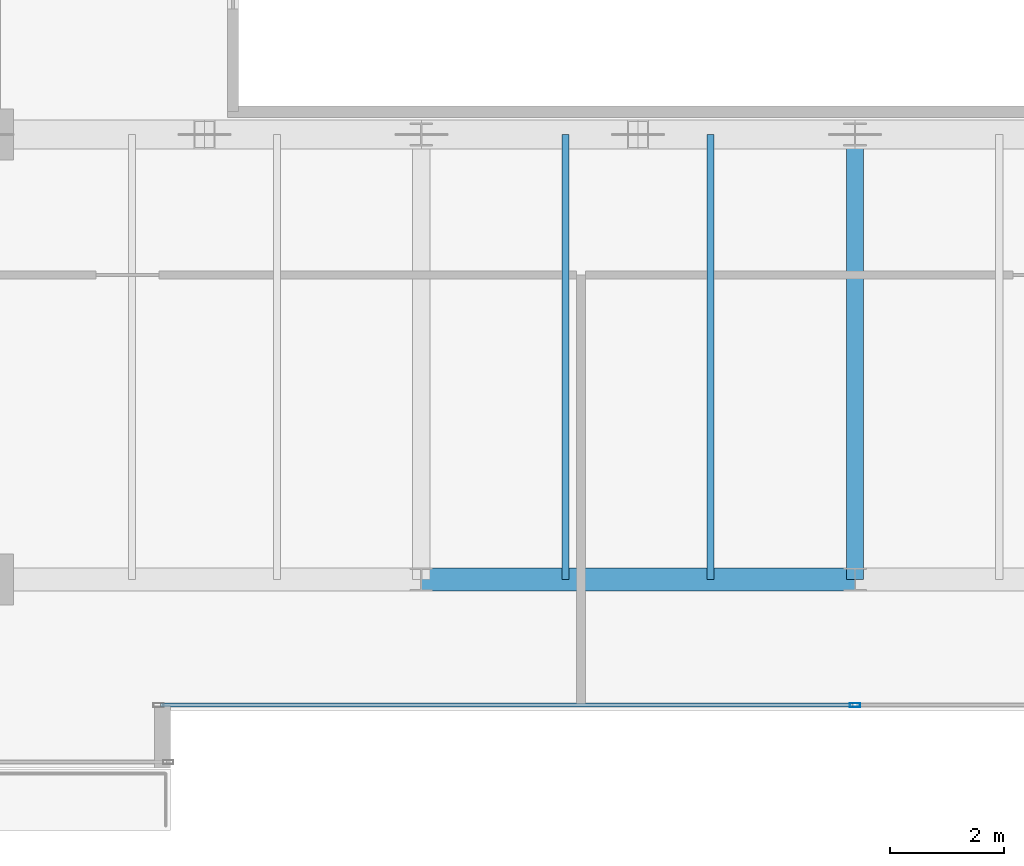
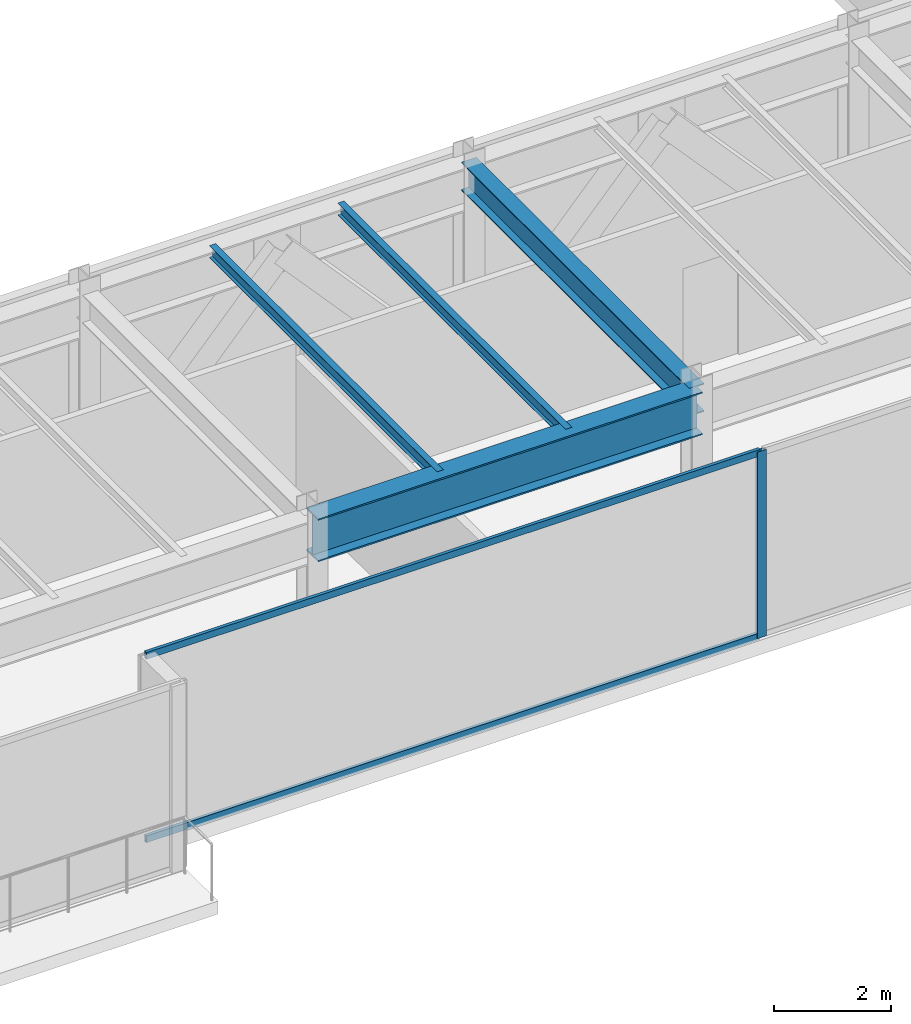
# One storey, part 7 of 34: 4 beams, 3 members, 1 element without a shape of its own.
"""IFC4 building model written with IfcOpenShell, lengths in metres."""

import ifcopenshell
import ifcopenshell.guid

model = None  # the IFC model being written
_history = None  # IfcOwnerHistory: only IFC2X3 demands one
_inside = {}  # id of a spatial element -> (the spatial element, [elements in it])
_under = {}  # id of a project, library or spatial element -> (it, [spatial elements below it])
_declared = {}  # id of a project -> (the project, [libraries it declares])
_typed = {}  # id of a type object -> (the type object, [elements of that type])
_made_of = {}  # id of a material, layer set ... -> (it, [elements and type objects made of it])


def new_model(schema):
    """Start an empty IFC model of exactly this schema.

    Asked for "IFC4X3", IfcOpenShell would pick the latest addendum, in which some entities
    have other attributes; the version numbers below select the first issue.
    IFC2X3 requires an IfcOwnerHistory on every rooted entity: one is made here for all.
    """
    global model, _history
    if schema == "IFC4X3":
        model = ifcopenshell.file(schema_version=(4, 3, 0, 0))
    else:
        model = ifcopenshell.file(schema=schema)
    _inside.clear()
    _under.clear()
    _declared.clear()
    _typed.clear()
    _made_of.clear()
    _history = None
    if model.schema == "IFC2X3":
        org = make("IfcOrganization", Name="unknown")
        user = make(
            "IfcPersonAndOrganization",
            ThePerson=make("IfcPerson", FamilyName="unknown"),
            TheOrganization=org,
        )
        app = make(
            "IfcApplication",
            ApplicationDeveloper=org,
            Version="unknown",
            ApplicationFullName="unknown",
            ApplicationIdentifier="unknown",
        )
        _history = make(
            "IfcOwnerHistory",
            OwningUser=user,
            OwningApplication=app,
            ChangeAction="ADDED",
            CreationDate=0,
        )
    return model


def make(cls, **values):
    """One entity of the class cls with the attributes given. An attribute that is None is left unset."""
    return model.create_entity(
        cls, **{name: value for name, value in values.items() if value is not None}
    )


def rooted(cls, **values):
    """An entity with a GlobalId (a new one), such as an element, a storey or a relation."""
    return make(cls, GlobalId=ifcopenshell.guid.new(), OwnerHistory=_history, **values)


def si_unit(unit_type, name, prefix=None):
    """IfcSIUnit, for example si_unit("LENGTHUNIT", "METRE", prefix="MILLI")."""
    return make("IfcSIUnit", UnitType=unit_type, Prefix=prefix, Name=name)


def assignment(units):
    """IfcUnitAssignment: the units of a project."""
    return None if units is None else make("IfcUnitAssignment", Units=units)


def point(xyz):
    """IfcCartesianPoint."""
    return None if xyz is None else make("IfcCartesianPoint", Coordinates=xyz)


def direction(xyz):
    """IfcDirection."""
    return None if xyz is None else make("IfcDirection", DirectionRatios=xyz)


def frame(location, z_axis=None, x_axis=None):
    """IfcAxis2Placement3D, a coordinate frame: its origin and axes. An axis left out is left unset."""
    return make(
        "IfcAxis2Placement3D",
        Location=point(location),
        Axis=direction(z_axis),
        RefDirection=direction(x_axis),
    )


def frame_2d(location, x_axis=None):
    """IfcAxis2Placement2D, a coordinate frame in the plane: its origin and x axis."""
    return make(
        "IfcAxis2Placement2D", Location=point(location), RefDirection=direction(x_axis)
    )


def origin():
    """The frame at (0, 0, 0) with its axes left unset."""
    return frame((0.0, 0.0, 0.0))


def origin_2d():
    """The frame at (0, 0) in the plane with its x axis left unset."""
    return frame_2d((0.0, 0.0))


def place(relative_to, where):
    """IfcLocalPlacement: puts the frame where relative to a parent placement (None: the world)."""
    return make(
        "IfcLocalPlacement", PlacementRelTo=relative_to, RelativePlacement=where
    )


def context(
    kind, dimensions, precision=None, world=None, true_north=None, identifier=None
):
    """IfcGeometricRepresentationContext, for example the 3D "Model" context."""
    return make(
        "IfcGeometricRepresentationContext",
        ContextIdentifier=identifier,
        ContextType=kind,
        CoordinateSpaceDimension=dimensions,
        Precision=precision,
        WorldCoordinateSystem=world,
        TrueNorth=true_north,
    )


def subcontext(parent, identifier, kind, view, scale=None):
    """IfcGeometricRepresentationSubContext, for example "Body" below "Model"."""
    return make(
        "IfcGeometricRepresentationSubContext",
        ContextIdentifier=identifier,
        ContextType=kind,
        ParentContext=parent,
        TargetScale=scale,
        TargetView=view,
    )


def project(units=None, contexts=None):
    """IfcProject with its units and contexts."""
    return rooted(
        "IfcProject",
        Name="project",
        RepresentationContexts=contexts,
        UnitsInContext=assignment(units),
    )


def spatial(cls, under=None, at=None, **own):
    """A site, building, storey or space (cls), placed at a placement, below another one or the project."""
    s = rooted(cls, ObjectPlacement=at, **own)
    if under is not None:
        _under.setdefault(under.id(), (under, []))[1].append(s)
    return s


def profile(cls, at=None, kind="AREA", **sizes):
    """A parametric profile (cls). Its sizes go by their IFC names, for example OverallWidth=200.0."""
    return make(cls, ProfileType=kind, Position=at, **sizes)


def hollow_rectangle(**sizes):
    """IfcRectangleHollowProfileDef."""
    return profile("IfcRectangleHollowProfileDef", **sizes)


def i_section(**sizes):
    """IfcIShapeProfileDef."""
    return profile("IfcIShapeProfileDef", **sizes)


def extrude(swept, where, along, depth):
    """IfcExtrudedAreaSolid: the profile swept, set in the frame where, extruded along a direction by depth."""
    return make(
        "IfcExtrudedAreaSolid",
        SweptArea=swept,
        Position=where,
        ExtrudedDirection=direction(along),
        Depth=depth,
    )


def shape(context_of_items, identifier, shape_type, items):
    """IfcShapeRepresentation: the items that make up one representation, for example the "Body"."""
    return make(
        "IfcShapeRepresentation",
        ContextOfItems=context_of_items,
        RepresentationIdentifier=identifier,
        RepresentationType=shape_type,
        Items=items,
    )


def source(mapping_origin, context_of_items, identifier, shape_type, items):
    """IfcRepresentationMap: a shape defined once, which mapped items show again and again."""
    return make(
        "IfcRepresentationMap",
        MappingOrigin=mapping_origin,
        MappedRepresentation=shape(context_of_items, identifier, shape_type, items),
    )


def transform(
    local_origin,
    x_axis=None,
    y_axis=None,
    z_axis=None,
    scale=None,
    scale2=None,
    scale3=None,
    uniform=True,
):
    """IfcCartesianTransformationOperator3D, or its non-uniform kind. x_axis, y_axis, z_axis: its Axis1, 2, 3."""
    if uniform:
        return make(
            "IfcCartesianTransformationOperator3D",
            Axis1=direction(x_axis),
            Axis2=direction(y_axis),
            LocalOrigin=point(local_origin),
            Scale=scale,
            Axis3=direction(z_axis),
        )
    return make(
        "IfcCartesianTransformationOperator3DnonUniform",
        Axis1=direction(x_axis),
        Axis2=direction(y_axis),
        LocalOrigin=point(local_origin),
        Scale=scale,
        Axis3=direction(z_axis),
        Scale2=scale2,
        Scale3=scale3,
    )


def mapped(mapping_source, mapping_target):
    """IfcMappedItem: shows the shape of a source again, moved by a transform."""
    return make(
        "IfcMappedItem", MappingSource=mapping_source, MappingTarget=mapping_target
    )


def material(Name=None, Category=None):
    """IfcMaterial."""
    return make("IfcMaterial", Name=Name, Category=Category)


def layer(
    of_material, thickness, ventilated=None, Name=None, Category=None, Priority=None
):
    """IfcMaterialLayer: one layer of a wall or slab, of a material (None: an air gap)."""
    return make(
        "IfcMaterialLayer",
        Material=of_material,
        LayerThickness=thickness,
        IsVentilated=ventilated,
        Name=Name,
        Category=Category,
        Priority=Priority,
    )


def layer_set(layers, Name=None):
    """IfcMaterialLayerSet."""
    return make("IfcMaterialLayerSet", MaterialLayers=layers, LayerSetName=Name)


def material_profile(
    of_material, cross_section, Name=None, Category=None, Priority=None
):
    """IfcMaterialProfile: a cross section and its material."""
    return make(
        "IfcMaterialProfile",
        Name=Name,
        Material=of_material,
        Profile=cross_section,
        Priority=Priority,
        Category=Category,
    )


def profile_set(profiles, Name=None, composite=None):
    """IfcMaterialProfileSet."""
    return make(
        "IfcMaterialProfileSet",
        Name=Name,
        MaterialProfiles=profiles,
        CompositeProfile=composite,
    )


def made_of(thing, what):
    """Note that an element or type object is made of a material, layer set ...; save() writes the relation."""
    if what is not None:
        _made_of.setdefault(what.id(), (what, []))[1].append(thing)
    return thing


def type_object(cls, material=None, **own):
    """A type object (cls), such as IfcWallType, which elements share."""
    return made_of(rooted(cls, **own), material)


def type_shapes(of_type, sources):
    """Give a type object the sources (RepresentationMaps) that its elements show as mapped items."""
    of_type.RepresentationMaps = sources


def element(
    cls,
    number,
    at=None,
    inside=None,
    cuts=None,
    type_object=None,
    material=None,
    context=None,
    identifier="Body",
    shape_type=None,
    held_by="IfcProductDefinitionShape",
    body=None,
    shapes=None,
    **own,
):
    """One element of the class cls, such as IfcWall. Its Tag is "e" and its number.

    at: its placement. inside: the storey or other place that contains it. cuts: it is an
    opening in that element (IfcRelVoidsElement). A single representation is given by context,
    identifier, shape_type and body (its items); several are given by shapes. held_by: the class
    of the entity that holds the representations. save() writes the other relations.
    """
    e = rooted(cls, Tag="e%d" % number, ObjectPlacement=at, **own)
    if body is not None:
        shapes = [shape(context, identifier, shape_type, body)]
    if shapes is not None:
        e.Representation = make(held_by, Representations=shapes)
    if inside is not None:
        _inside.setdefault(inside.id(), (inside, []))[1].append(e)
    if cuts is not None:
        rooted(
            "IfcRelVoidsElement", RelatingBuildingElement=cuts, RelatedOpeningElement=e
        )
    if type_object is not None:
        _typed.setdefault(type_object.id(), (type_object, []))[1].append(e)
    return made_of(e, material)


def aggregate(whole, parts):
    """IfcRelAggregates: a whole, such as a stair, and the parts it consists of."""
    return rooted("IfcRelAggregates", RelatingObject=whole, RelatedObjects=parts)


def save(model, path):
    """Write the relations noted so far, then the file.

    IfcRelAggregates (storeys below a building ...), IfcRelContainedInSpatialStructure (elements
    in a storey), IfcRelDefinesByType, IfcRelAssociatesMaterial and IfcRelDeclares: one each for
    every whole, place, type object, material and project.
    """
    for whole, parts in _under.values():
        aggregate(whole, parts)
    for where, things in _inside.values():
        rooted(
            "IfcRelContainedInSpatialStructure",
            RelatedElements=things,
            RelatingStructure=where,
        )
    for kind, things in _typed.values():
        rooted("IfcRelDefinesByType", RelatedObjects=things, RelatingType=kind)
    for what, things in _made_of.values():
        rooted("IfcRelAssociatesMaterial", RelatedObjects=things, RelatingMaterial=what)
    for by, libraries in _declared.values():
        rooted("IfcRelDeclares", RelatingContext=by, RelatedDefinitions=libraries)
    model.write(path)


model = new_model("IFC4")

# Units and contexts
model_context = context("Model", 3, precision=1e-05, world=origin(), true_north=direction((0.0, 1.0)))
body_context = subcontext(model_context, "Body", "Model", "MODEL_VIEW")
ifc_project = project(units=[si_unit("LENGTHUNIT", "METRE"), si_unit("AREAUNIT", "SQUARE_METRE"), si_unit("VOLUMEUNIT", "CUBIC_METRE"), si_unit("PLANEANGLEUNIT", "RADIAN"), si_unit("MASSUNIT", "GRAM", prefix="KILO")], contexts=[model_context])

# Site, building, storey
site_placement = place(None, origin())
site = spatial("IfcSite", under=ifc_project, at=site_placement, CompositionType="ELEMENT")
building_placement = place(site_placement, origin())
building = spatial("IfcBuilding", under=site, at=building_placement, Name="Haelvirn Gate Laboratories", CompositionType="ELEMENT")
storey_placement = place(building_placement, frame((0.0, 0.0, 297.60009765625)))
storey = spatial("IfcBuildingStorey", under=building, at=storey_placement, Name="L71", CompositionType="ELEMENT", Elevation=297.60009765625)

# Beams
ifc_material_1 = material(Name="Steel SM420", Category="steel")
ifc_material_profile_1 = material_profile(ifc_material_1, i_section(OverallWidth=0.39990234375, OverallDepth=0.89990234375, WebThickness=0.01904296875, FlangeThickness=0.031982421875, at=origin_2d()), Name="H-900x400x19x32")
ifc_profile_set_1 = profile_set([ifc_material_profile_1], Name="Steel SM420")
beam_type_1 = type_object("IfcBeamType", Name="BM-TG-900", PredefinedType="BEAM", material=ifc_profile_set_1)
shared_shape_1 = source(origin(), body_context, "Body", "SweptSolid", [
    extrude(i_section(OverallWidth=0.39990234375, OverallDepth=0.89990234375, WebThickness=0.01904296875, FlangeThickness=0.031982421875, at=origin_2d()), origin(), (0.0, 0.0, 1.0), 7.599853515625),
])
type_shapes(beam_type_1, [shared_shape_1])
beam_1_placement = place(storey_placement, frame((29.800048828125, 7.0, 3.449951171875), z_axis=(1.0, 0.0, 0.0), x_axis=(0.0, 1.0, 0.0)))
element("IfcBeam", 1, at=beam_1_placement, inside=storey, type_object=beam_type_1, Name="L71 Primary Girder Y7.0 (29.8-37.4)", PredefinedType="BEAM", context=body_context, shape_type="MappedRepresentation", body=[
    mapped(shared_shape_1, transform((0.0, 0.0, 0.0), scale=1.0)),
])
ifc_material_2 = material(Name="Steel SM355", Category="steel")
ifc_material_profile_2 = material_profile(ifc_material_2, i_section(OverallWidth=0.300048828125, OverallDepth=0.587890625, WebThickness=0.011962890625, FlangeThickness=0.02001953125, at=origin_2d()), Name="H-588x300x12x20")
ifc_profile_set_2 = profile_set([ifc_material_profile_2], Name="Steel SM355")
beam_type_2 = type_object("IfcBeamType", Name="BM-G-588", PredefinedType="BEAM", material=ifc_profile_set_2)
shared_shape_2 = source(origin(), body_context, "Body", "SweptSolid", [
    extrude(i_section(OverallWidth=0.300048828125, OverallDepth=0.587890625, WebThickness=0.011962890625, FlangeThickness=0.02001953125, at=origin_2d()), origin(), (0.0, 0.0, 1.0), 7.800048828125),
])
type_shapes(beam_type_2, [shared_shape_2])
beam_2_placement = place(storey_placement, frame((37.39990234375, 7.0, 3.60595703125), z_axis=(0.0, 1.0, 0.0), x_axis=(-1.0, 0.0, 0.0)))
element("IfcBeam", 2, at=beam_2_placement, inside=storey, type_object=beam_type_2, Name="L71 Frame Girder X37.4 (7.0-14.8)", PredefinedType="BEAM", context=body_context, shape_type="MappedRepresentation", body=[
    mapped(shared_shape_2, transform((0.0, 0.0, 0.0), scale=1.0)),
])
ifc_material_profile_3 = material_profile(ifc_material_2, i_section(OverallWidth=0.125, OverallDepth=0.25, WebThickness=0.006103515625, FlangeThickness=0.009033203125, at=origin_2d()), Name="H-250x125x6x9")
ifc_profile_set_3 = profile_set([ifc_material_profile_3], Name="Steel SM355")
beam_type_3 = type_object("IfcBeamType", Name="BM-J-250", PredefinedType="JOIST", material=ifc_profile_set_3)
shared_shape_3 = source(origin(), body_context, "Body", "SweptSolid", [
    extrude(i_section(OverallWidth=0.125, OverallDepth=0.25, WebThickness=0.006103515625, FlangeThickness=0.009033203125, at=origin_2d()), origin(), (0.0, 0.0, 1.0), 7.800048828125),
])
type_shapes(beam_type_3, [shared_shape_3])
for number, where, z_axis, x_axis, name in (
    (3, (32.330078125, 7.0, 3.77490234375), (0.0, 1.0, 0.0), (-1.0, 0.0, 0.0), "L71 Composite Lab Joist South X32.33"),
    (4, (34.8701171875, 7.0, 3.77490234375), (0.0, 1.0, 0.0), (-1.0, 0.0, 0.0), "L71 Composite Lab Joist South X34.87"),
):
    element("IfcBeam", number, at=place(storey_placement, frame(where, z_axis=z_axis, x_axis=x_axis)), inside=storey, type_object=beam_type_3, Name=name, PredefinedType="JOIST", context=body_context, shape_type="MappedRepresentation", body=[
        mapped(shared_shape_3, transform((0.0, 0.0, 0.0), scale=1.0)),
    ])

# Curtain wall, members
ifc_material_3 = material(Name="Anodised bronze unitised aluminium & triple low-E glass", Category="aluminium")
ifc_layer = layer(ifc_material_3, 0.176025390625, Name="CW-SYS-4")
ifc_layer_set = layer_set([ifc_layer], Name="Anodised bronze unitised aluminium & triple low-E glass")
curtain_wall_type = type_object("IfcCurtainWallType", Name="CW-SYS-4", PredefinedType="NOTDEFINED", material=ifc_layer_set)
curtain_wall_placement = place(storey_placement, origin())
curtain_wall = element("IfcCurtainWall", 5, at=curtain_wall_placement, inside=storey, type_object=curtain_wall_type, Name="L71 Unitised Curtain Wall CW-L71-P0-E02-1", PredefinedType="NOTDEFINED")
ifc_material_4 = material(Name="Extruded aluminium 6063-T6 (anodised bronze)", Category="aluminium")
ifc_material_profile_4 = material_profile(ifc_material_4, hollow_rectangle(XDim=0.06494140625, YDim=0.139892578125, WallThickness=0.00390625, at=origin_2d()), Name="CWT-140x65x4")
ifc_profile_set_4 = profile_set([ifc_material_profile_4], Name="Extruded aluminium 6063-T6 (anodised bronze)")
member_type_1 = type_object("IfcMemberType", Name="CWT-T140", PredefinedType="USERDEFINED", material=ifc_profile_set_4)
shared_shape_4 = source(origin(), body_context, "Body", "SweptSolid", [
    extrude(hollow_rectangle(XDim=0.06494140625, YDim=0.139892578125, WallThickness=0.00390625, at=origin_2d()), origin(), (0.0, 0.0, 1.0), 12.135009765625),
])
type_shapes(member_type_1, [shared_shape_4])
member_1_placement = place(storey_placement, frame((25.22998046875, 4.800048828125, 0.032470703125), z_axis=(1.0, 0.0, 0.0), x_axis=(0.0, 1.0, 0.0)))
member_1 = element("IfcMember", 6, at=member_1_placement, type_object=member_type_1, Name="CW4 transom 1.1", ObjectType="TRANSOM", PredefinedType="USERDEFINED", context=body_context, shape_type="MappedRepresentation", body=[
    mapped(shared_shape_4, transform((0.0, 0.0, 0.0), scale=1.0)),
])
member_2_placement = place(storey_placement, frame((25.22998046875, 4.800048828125, 3.867431640625), z_axis=(1.0, 0.0, 0.0), x_axis=(0.0, 1.0, 0.0)))
member_2 = element("IfcMember", 7, at=member_2_placement, type_object=member_type_1, Name="CW4 transom 1.2", ObjectType="TRANSOM", PredefinedType="USERDEFINED", context=body_context, shape_type="MappedRepresentation", body=[
    mapped(shared_shape_4, transform((0.0, 0.0, 0.0), scale=1.0)),
])
ifc_material_profile_5 = material_profile(ifc_material_4, hollow_rectangle(XDim=0.070068359375, YDim=0.179931640625, WallThickness=0.0048828125, at=origin_2d()), Name="CWM-180x70x5")
ifc_profile_set_5 = profile_set([ifc_material_profile_5], Name="Extruded aluminium 6063-T6 (anodised bronze)")
member_type_2 = type_object("IfcMemberType", Name="CWM-T180", PredefinedType="MULLION", material=ifc_profile_set_5)
shared_shape_5 = source(origin(), body_context, "Body", "SweptSolid", [
    extrude(hollow_rectangle(XDim=0.070068359375, YDim=0.179931640625, WallThickness=0.0048828125, at=origin_2d()), origin(), (0.0, 0.0, 1.0), 3.89990234375),
])
type_shapes(member_type_2, [shared_shape_5])
member_3_placement = place(storey_placement, frame((37.39990234375, 4.800048828125, 0.0), z_axis=(0.0, 0.0, 1.0), x_axis=(0.0, 1.0, 0.0)))
member_3 = element("IfcMember", 8, at=member_3_placement, type_object=member_type_2, Name="CW4 mullion 2", PredefinedType="MULLION", context=body_context, shape_type="MappedRepresentation", body=[
    mapped(shared_shape_5, transform((0.0, 0.0, 0.0), scale=1.0)),
])
aggregate(curtain_wall, [member_3, member_1, member_2])

save(model, "model.ifc")
